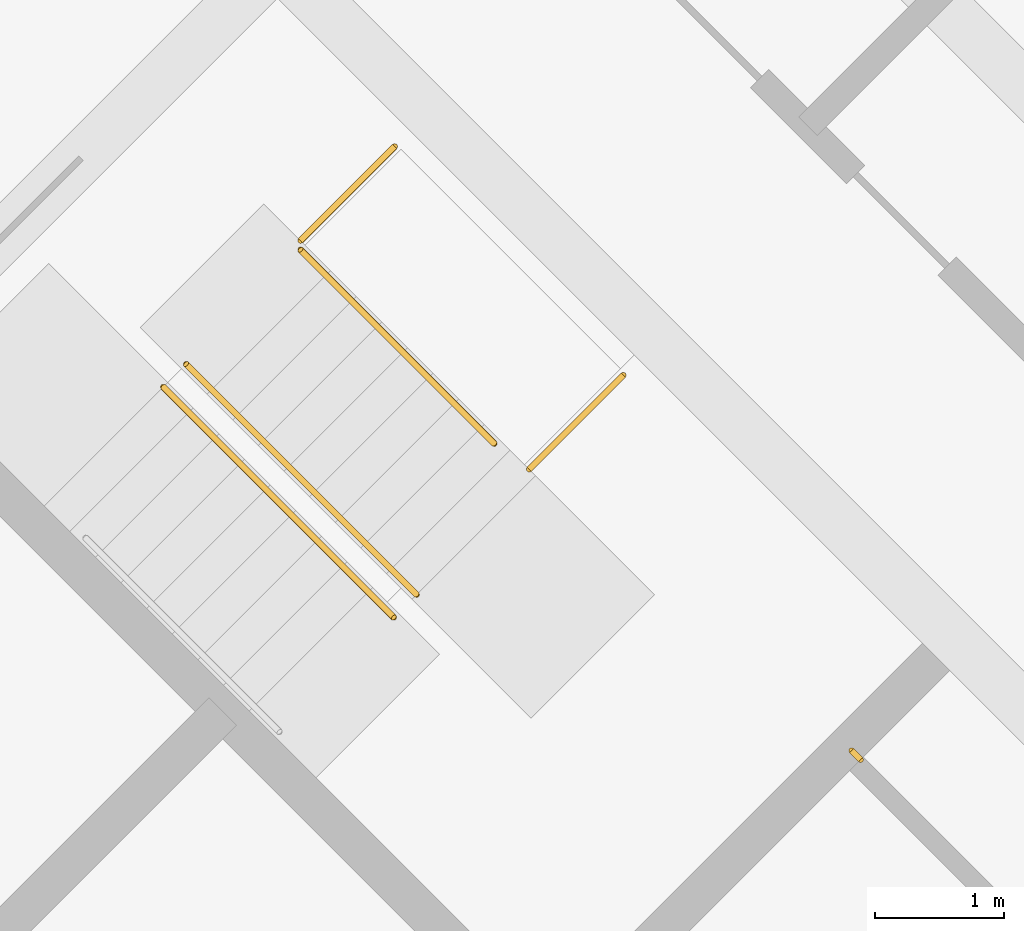
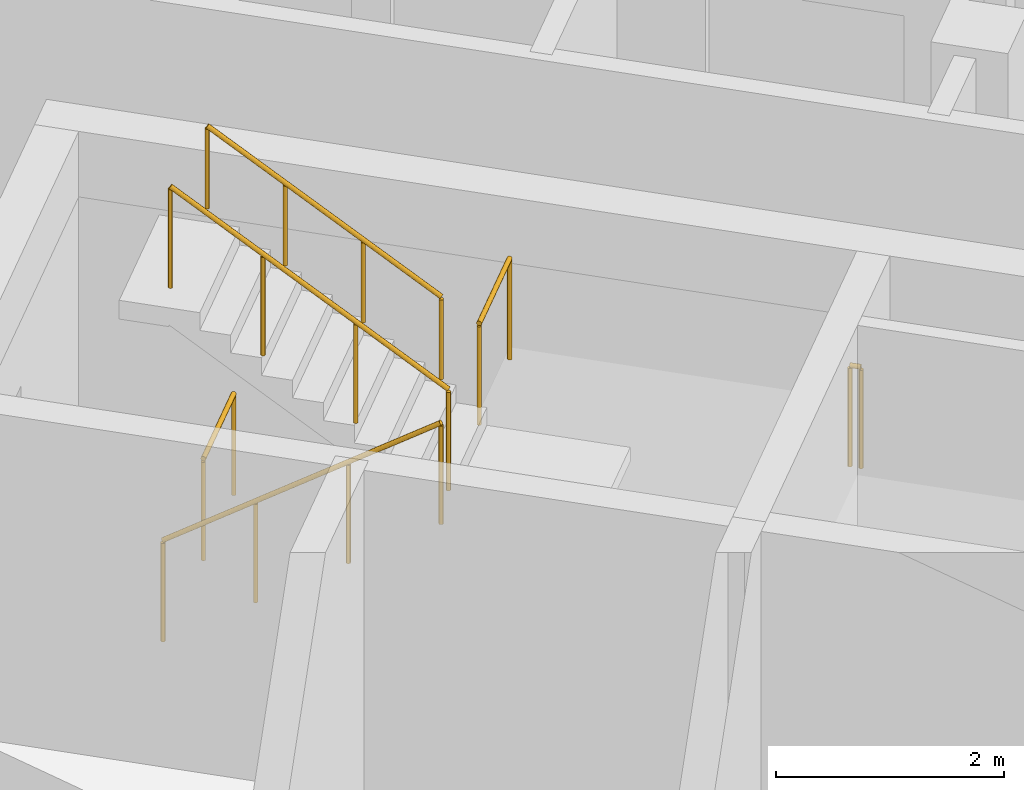
# One storey, part 18 of 20: 6 railings.
"""IFC4 building model written with IfcOpenShell, lengths in metres."""

from ifc_helpers import new_model, si_unit, direction, frame, origin, origin_2d, place, context, subcontext, project, spatial, circle, extrude, material, type_object, element, save


model = new_model("IFC4")

# Units and contexts
model_context = context("Model", 3, precision=1e-05, world=origin(), true_north=direction((0.0, 1.0)))
body_context = subcontext(model_context, "Body", "Model", "MODEL_VIEW")
ifc_project = project(units=[si_unit("LENGTHUNIT", "METRE"), si_unit("AREAUNIT", "SQUARE_METRE"), si_unit("VOLUMEUNIT", "CUBIC_METRE"), si_unit("PLANEANGLEUNIT", "RADIAN"), si_unit("MASSUNIT", "GRAM", prefix="KILO")], contexts=[model_context])

# Site, building, storey
site_placement = place(None, origin())
site = spatial("IfcSite", under=ifc_project, at=site_placement, CompositionType="ELEMENT")
building_placement = place(site_placement, origin())
building = spatial("IfcBuilding", under=site, at=building_placement, Name="Windrow Commons", CompositionType="ELEMENT")
storey_placement = place(building_placement, frame((0.0, 0.0, 290.6)))
storey = spatial("IfcBuildingStorey", under=building, at=storey_placement, Name="L79", CompositionType="ELEMENT", Elevation=290.6)

# Railings
ifc_material_1 = material(Name="Steel S355", Category="steel")
railing_type_1 = type_object("IfcRailingType", Name="Core stair guard 1100", PredefinedType="GUARDRAIL", material=ifc_material_1)
railing_1_placement = place(storey_placement, frame((85.9529, 56.2669, 0.19)))
element("IfcRailing", 1, at=railing_1_placement, inside=storey, type_object=railing_type_1, Name="L79 ST-B1 stair guard 1", PredefinedType="GUARDRAIL", context=body_context, shape_type="SweptSolid", body=[
    extrude(circle(Radius=0.024, at=origin_2d()), frame((0.0, 0.0, 1.076), z_axis=(0.5851127904, -0.5851127904, 0.5615033793), x_axis=(0.7071067812, 0.7071067812, 0.0)), (0.0, 0.0, 1.0), 3.0454),
    extrude(circle(Radius=0.021, at=origin_2d()), origin(), (0.0, 0.0, 1.0), 1.052),
    extrude(circle(Radius=0.021, at=origin_2d()), frame((0.594, -0.594, 0.57)), (0.0, 0.0, 1.0), 1.052),
    extrude(circle(Radius=0.021, at=origin_2d()), frame((1.1879, -1.1879, 1.14)), (0.0, 0.0, 1.0), 1.052),
    extrude(circle(Radius=0.021, at=origin_2d()), frame((1.7819, -1.7819, 1.71)), (0.0, 0.0, 1.0), 1.052),
])
railing_2_placement = place(storey_placement, frame((87.9116, 54.6617, 2.09)))
element("IfcRailing", 2, at=railing_2_placement, inside=storey, type_object=railing_type_1, Name="L79 ST-B1 stair guard 2", PredefinedType="GUARDRAIL", context=body_context, shape_type="SweptSolid", body=[
    extrude(circle(Radius=0.024, at=origin_2d()), frame((0.0, 0.0, 1.076), z_axis=(-0.5851231427, 0.5851231427, 0.5614818036), x_axis=(-0.7071067812, -0.7071067812, 0.0)), (0.0, 0.0, 1.0), 3.0455),
    extrude(circle(Radius=0.021, at=origin_2d()), origin(), (0.0, 0.0, 1.0), 1.052),
    extrude(circle(Radius=0.021, at=origin_2d()), frame((-0.594, 0.594, 0.57)), (0.0, 0.0, 1.0), 1.052),
    extrude(circle(Radius=0.021, at=origin_2d()), frame((-1.188, 1.188, 1.14)), (0.0, 0.0, 1.0), 1.052),
    extrude(circle(Radius=0.021, at=origin_2d()), frame((-1.782, 1.782, 1.71)), (0.0, 0.0, 1.0), 1.052),
])
railing_3_placement = place(storey_placement, frame((87.0135, 57.3982, 0.0)))
element("IfcRailing", 3, at=railing_3_placement, inside=storey, type_object=railing_type_1, Name="L79 ST-B1 stair guard 3", PredefinedType="GUARDRAIL", context=body_context, shape_type="SweptSolid", body=[
    extrude(circle(Radius=0.024, at=origin_2d()), frame((0.0, 0.0, 1.076), z_axis=(0.7070582378, 0.7071553212, 0.0), x_axis=(-0.7071553212, 0.7070582378, 0.0)), (0.0, 0.0, 1.0), 1.03),
    extrude(circle(Radius=0.021, at=origin_2d()), origin(), (0.0, 0.0, 1.0), 1.052),
    extrude(circle(Radius=0.021, at=origin_2d()), frame((0.7283, 0.7284, 0.0)), (0.0, 0.0, 1.0), 1.052),
])
railing_4_placement = place(storey_placement, frame((88.7813, 55.6305, 1.9)))
element("IfcRailing", 4, at=railing_4_placement, inside=storey, type_object=railing_type_1, Name="L79 ST-B1 stair guard 4", PredefinedType="GUARDRAIL", context=body_context, shape_type="SweptSolid", body=[
    extrude(circle(Radius=0.024, at=origin_2d()), frame((0.0, 0.0, 1.076), z_axis=(0.7071067812, 0.7071067812, 0.0), x_axis=(-0.7071067812, 0.7071067812, 0.0)), (0.0, 0.0, 1.0), 1.03),
    extrude(circle(Radius=0.021, at=origin_2d()), origin(), (0.0, 0.0, 1.0), 1.052),
    extrude(circle(Radius=0.021, at=origin_2d()), frame((0.7283, 0.7283, 0.0)), (0.0, 0.0, 1.0), 1.052),
])
railing_5_placement = place(storey_placement, frame((91.3446, 53.3854, 1.9)))
element("IfcRailing", 5, at=railing_5_placement, inside=storey, type_object=railing_type_1, Name="L79 ST-B2 stair guard 3", PredefinedType="GUARDRAIL", context=body_context, shape_type="SweptSolid", body=[
    extrude(circle(Radius=0.024, at=origin_2d()), frame((0.0, 0.0, 1.076), z_axis=(-0.7076063266, 0.7066068826, 0.0), x_axis=(-0.7066068826, -0.7076063266, 0.0)), (0.0, 0.0, 1.0), 0.1001),
    extrude(circle(Radius=0.021, at=origin_2d()), origin(), (0.0, 0.0, 1.0), 1.052),
    extrude(circle(Radius=0.021, at=origin_2d()), frame((-0.0708, 0.0707, 0.0)), (0.0, 0.0, 1.0), 1.052),
])
ifc_material_2 = material(Name="Steel S355", Category="steel")
railing_type_2 = type_object("IfcRailingType", Name="Core stair handrail 900", PredefinedType="HANDRAIL", material=ifc_material_2)
railing_6_placement = place(storey_placement, frame((88.5126, 55.8285, 2.3614)))
element("IfcRailing", 6, at=railing_6_placement, inside=storey, type_object=railing_type_2, Name="L79 ST-B1 stair handrail 2", PredefinedType="HANDRAIL", context=body_context, shape_type="SweptSolid", body=[
    extrude(circle(Radius=0.024, at=origin_2d()), frame((0.0, 0.0, 0.876), z_axis=(-0.5851275679, 0.5850885359, 0.561513254), x_axis=(-0.7070831956, -0.707130366, 0.0)), (0.0, 0.0, 1.0), 2.562),
    extrude(circle(Radius=0.021, at=origin_2d()), origin(), (0.0, 0.0, 1.0), 0.852),
    extrude(circle(Radius=0.021, at=origin_2d()), frame((-0.4997, 0.4997, 0.4795)), (0.0, 0.0, 1.0), 0.852),
    extrude(circle(Radius=0.021, at=origin_2d()), frame((-0.9994, 0.9993, 0.9591)), (0.0, 0.0, 1.0), 0.852),
    extrude(circle(Radius=0.021, at=origin_2d()), frame((-1.4991, 1.499, 1.4386)), (0.0, 0.0, 1.0), 0.852),
])

save(model, "model.ifc")
